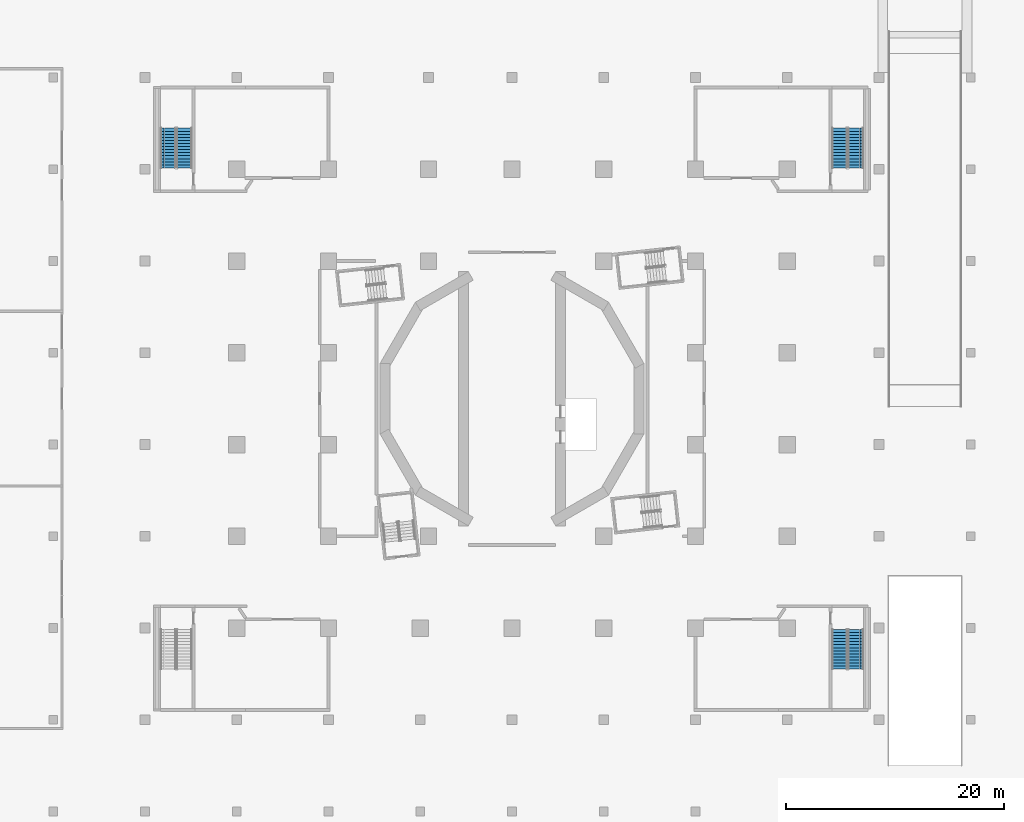
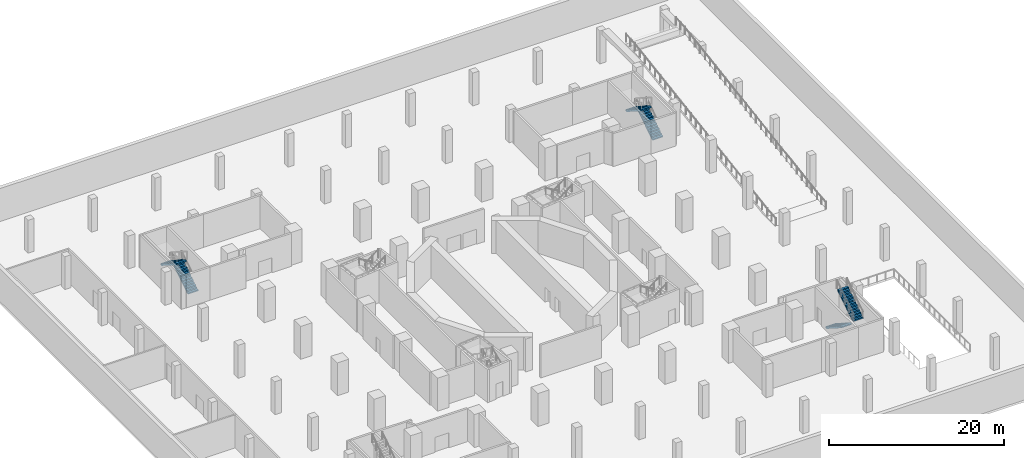
# One storey, part 12 of 20: 6 stair flights, 3 elements without a shape of their own.
"""IFC4 building model written with IfcOpenShell, lengths in metres."""

from ifc_helpers import new_model, si_unit, direction, frame, origin, place, context, subcontext, project, spatial, polyline, outline, extrude, material, type_object, element, aggregate, save


model = new_model("IFC4")

# Units and contexts
model_context = context("Model", 3, precision=1e-05, world=origin(), true_north=direction((0.0, 1.0)))
body_context = subcontext(model_context, "Body", "Model", "MODEL_VIEW")
ifc_project = project(units=[si_unit("LENGTHUNIT", "METRE"), si_unit("AREAUNIT", "SQUARE_METRE"), si_unit("VOLUMEUNIT", "CUBIC_METRE"), si_unit("PLANEANGLEUNIT", "RADIAN"), si_unit("MASSUNIT", "GRAM", prefix="KILO")], contexts=[model_context])

# Site, building, storey
site_placement = place(None, origin())
site = spatial("IfcSite", under=ifc_project, at=site_placement, CompositionType="ELEMENT")
building_placement = place(site_placement, origin())
building = spatial("IfcBuilding", under=site, at=building_placement, Name="Cantera Rosa Tower", CompositionType="ELEMENT")
storey_placement = place(building_placement, frame((0.0, 0.0, -5.0)))
storey = spatial("IfcBuildingStorey", under=building, at=storey_placement, Name="B1", CompositionType="ELEMENT", Elevation=-5.0)

# Stair, stair flights
ifc_material_1 = material(Name="Concrete C35/45", Category="concrete")
stair_type = type_object("IfcStairType", Name="Stair half-turn 1350", PredefinedType="HALF_TURN_STAIR", material=ifc_material_1)
stair_1_placement = place(storey_placement, origin())
stair_1 = element("IfcStair", 1, at=stair_1_placement, inside=storey, type_object=stair_type, Name="B1 ST-NE", PredefinedType="HALF_TURN_STAIR")
ifc_material_2 = material(Name="Concrete C35/45", Category="concrete")
stair_flight_type = type_object("IfcStairFlightType", Name="Stair flight 1350", PredefinedType="STRAIGHT", material=ifc_material_2)
stair_flight_1_placement = place(storey_placement, frame((31.5, 21.125, 0.0), z_axis=(0.0, 0.0, 1.0), x_axis=(0.0, 1.0, 0.0)))
stair_flight_1 = element("IfcStairFlight", 2, at=stair_flight_1_placement, type_object=stair_flight_type, Name="ST-NE flight 1", NumberOfRisers=14, NumberOfTreads=13, PredefinedType="STRAIGHT", RiserHeight=0.178571429, TreadLength=0.28, context=body_context, shape_type="SweptSolid", body=[
    extrude(outline(polyline([(0.0, 0.0), (0.0, 0.178466796875), (0.280029296875, 0.178466796875), (0.280029296875, 0.357177734375), (0.56005859375, 0.357177734375), (0.56005859375, 0.53564453125), (0.840087890625, 0.53564453125), (0.840087890625, 0.71435546875), (1.1201171875, 0.71435546875), (1.1201171875, 0.892822265625), (1.39990234375, 0.892822265625), (1.39990234375, 1.071533203125), (1.679931640625, 1.071533203125), (1.679931640625, 1.25), (1.9599609375, 1.25), (1.9599609375, 1.428466796875), (2.239990234375, 1.428466796875), (2.239990234375, 1.607177734375), (2.52001953125, 1.607177734375), (2.52001953125, 1.78564453125), (2.800048828125, 1.78564453125), (2.800048828125, 1.96435546875), (3.080078125, 1.96435546875), (3.080078125, 2.142822265625), (3.360107421875, 2.142822265625), (3.360107421875, 2.321533203125), (3.639892578125, 2.321533203125), (3.639892578125, 2.5), (3.639892578125, 2.1435546875), (0.27880859375, 0.0), (0.0, 0.0)])), frame((0.0, 0.675048828125, 0.0), z_axis=(0.0, -1.0, 0.0), x_axis=(1.0, 0.0, 0.0)), (0.0, 0.0, 1.0), 0.3359375),
    extrude(outline(polyline([(0.0, 0.0), (0.0, 0.178466796875), (0.280029296875, 0.178466796875), (0.280029296875, 0.357177734375), (0.56005859375, 0.357177734375), (0.56005859375, 0.53564453125), (0.840087890625, 0.53564453125), (0.840087890625, 0.71435546875), (1.1201171875, 0.71435546875), (1.1201171875, 0.892822265625), (1.39990234375, 0.892822265625), (1.39990234375, 1.071533203125), (1.679931640625, 1.071533203125), (1.679931640625, 1.25), (1.9599609375, 1.25), (1.9599609375, 1.428466796875), (2.239990234375, 1.428466796875), (2.239990234375, 1.607177734375), (2.52001953125, 1.607177734375), (2.52001953125, 1.78564453125), (2.800048828125, 1.78564453125), (2.800048828125, 1.96435546875), (3.080078125, 1.96435546875), (3.080078125, 2.142822265625), (3.360107421875, 2.142822265625), (3.360107421875, 2.321533203125), (3.639892578125, 2.321533203125), (3.639892578125, 2.5), (3.639892578125, 2.1435546875), (0.27880859375, 0.0), (0.0, 0.0)])), frame((0.0, 0.337158203125, 0.0), z_axis=(0.0, -1.0, 0.0), x_axis=(1.0, 0.0, 0.0)), (0.0, 0.0, 1.0), 0.3359375),
    extrude(outline(polyline([(0.0, 0.0), (0.0, 0.178466796875), (0.280029296875, 0.178466796875), (0.280029296875, 0.357177734375), (0.56005859375, 0.357177734375), (0.56005859375, 0.53564453125), (0.840087890625, 0.53564453125), (0.840087890625, 0.71435546875), (1.1201171875, 0.71435546875), (1.1201171875, 0.892822265625), (1.39990234375, 0.892822265625), (1.39990234375, 1.071533203125), (1.679931640625, 1.071533203125), (1.679931640625, 1.25), (1.9599609375, 1.25), (1.9599609375, 1.428466796875), (2.239990234375, 1.428466796875), (2.239990234375, 1.607177734375), (2.52001953125, 1.607177734375), (2.52001953125, 1.78564453125), (2.800048828125, 1.78564453125), (2.800048828125, 1.96435546875), (3.080078125, 1.96435546875), (3.080078125, 2.142822265625), (3.360107421875, 2.142822265625), (3.360107421875, 2.321533203125), (3.639892578125, 2.321533203125), (3.639892578125, 2.5), (3.639892578125, 2.1435546875), (0.27880859375, 0.0), (0.0, 0.0)])), frame((0.0, -0.000732421875, 0.0), z_axis=(0.0, -1.0, 0.0), x_axis=(1.0, 0.0, 0.0)), (0.0, 0.0, 1.0), 0.3359375),
    extrude(outline(polyline([(0.0, 0.0), (0.0, 0.178466796875), (0.280029296875, 0.178466796875), (0.280029296875, 0.357177734375), (0.56005859375, 0.357177734375), (0.56005859375, 0.53564453125), (0.840087890625, 0.53564453125), (0.840087890625, 0.71435546875), (1.1201171875, 0.71435546875), (1.1201171875, 0.892822265625), (1.39990234375, 0.892822265625), (1.39990234375, 1.071533203125), (1.679931640625, 1.071533203125), (1.679931640625, 1.25), (1.9599609375, 1.25), (1.9599609375, 1.428466796875), (2.239990234375, 1.428466796875), (2.239990234375, 1.607177734375), (2.52001953125, 1.607177734375), (2.52001953125, 1.78564453125), (2.800048828125, 1.78564453125), (2.800048828125, 1.96435546875), (3.080078125, 1.96435546875), (3.080078125, 2.142822265625), (3.360107421875, 2.142822265625), (3.360107421875, 2.321533203125), (3.639892578125, 2.321533203125), (3.639892578125, 2.5), (3.639892578125, 2.1435546875), (0.27880859375, 0.0), (0.0, 0.0)])), frame((0.0, -0.338623046875, 0.0), z_axis=(0.0, -1.0, 0.0), x_axis=(1.0, 0.0, 0.0)), (0.0, 0.0, 1.0), 0.3359375),
])
stair_flight_2_placement = place(storey_placement, frame((29.949951171875, 24.764892578125, 2.5), z_axis=(0.0, 0.0, 1.0), x_axis=(0.0, -1.0, 0.0)))
stair_flight_2 = element("IfcStairFlight", 3, at=stair_flight_2_placement, type_object=stair_flight_type, Name="ST-NE flight 2", NumberOfRisers=14, NumberOfTreads=13, PredefinedType="STRAIGHT", RiserHeight=0.178571429, TreadLength=0.28, context=body_context, shape_type="SweptSolid", body=[
    extrude(outline(polyline([(0.0, 0.0), (0.0, 0.178466796875), (0.280029296875, 0.178466796875), (0.280029296875, 0.357177734375), (0.56005859375, 0.357177734375), (0.56005859375, 0.53564453125), (0.840087890625, 0.53564453125), (0.840087890625, 0.71435546875), (1.1201171875, 0.71435546875), (1.1201171875, 0.892822265625), (1.39990234375, 0.892822265625), (1.39990234375, 1.071533203125), (1.679931640625, 1.071533203125), (1.679931640625, 1.25), (1.9599609375, 1.25), (1.9599609375, 1.428466796875), (2.239990234375, 1.428466796875), (2.239990234375, 1.607177734375), (2.52001953125, 1.607177734375), (2.52001953125, 1.78564453125), (2.800048828125, 1.78564453125), (2.800048828125, 1.96435546875), (3.080078125, 1.96435546875), (3.080078125, 2.142822265625), (3.360107421875, 2.142822265625), (3.360107421875, 2.321533203125), (3.639892578125, 2.321533203125), (3.639892578125, 2.5), (3.639892578125, 2.1435546875), (0.27880859375, 0.0), (0.0, 0.0)])), frame((0.0, 0.675048828125, 0.0), z_axis=(0.0, -1.0, 0.0), x_axis=(1.0, 0.0, 0.0)), (0.0, 0.0, 1.0), 0.3359375),
    extrude(outline(polyline([(0.0, 0.0), (0.0, 0.178466796875), (0.280029296875, 0.178466796875), (0.280029296875, 0.357177734375), (0.56005859375, 0.357177734375), (0.56005859375, 0.53564453125), (0.840087890625, 0.53564453125), (0.840087890625, 0.71435546875), (1.1201171875, 0.71435546875), (1.1201171875, 0.892822265625), (1.39990234375, 0.892822265625), (1.39990234375, 1.071533203125), (1.679931640625, 1.071533203125), (1.679931640625, 1.25), (1.9599609375, 1.25), (1.9599609375, 1.428466796875), (2.239990234375, 1.428466796875), (2.239990234375, 1.607177734375), (2.52001953125, 1.607177734375), (2.52001953125, 1.78564453125), (2.800048828125, 1.78564453125), (2.800048828125, 1.96435546875), (3.080078125, 1.96435546875), (3.080078125, 2.142822265625), (3.360107421875, 2.142822265625), (3.360107421875, 2.321533203125), (3.639892578125, 2.321533203125), (3.639892578125, 2.5), (3.639892578125, 2.1435546875), (0.27880859375, 0.0), (0.0, 0.0)])), frame((0.0, 0.337158203125, 0.0), z_axis=(0.0, -1.0, 0.0), x_axis=(1.0, 0.0, 0.0)), (0.0, 0.0, 1.0), 0.3359375),
    extrude(outline(polyline([(0.0, 0.0), (0.0, 0.178466796875), (0.280029296875, 0.178466796875), (0.280029296875, 0.357177734375), (0.56005859375, 0.357177734375), (0.56005859375, 0.53564453125), (0.840087890625, 0.53564453125), (0.840087890625, 0.71435546875), (1.1201171875, 0.71435546875), (1.1201171875, 0.892822265625), (1.39990234375, 0.892822265625), (1.39990234375, 1.071533203125), (1.679931640625, 1.071533203125), (1.679931640625, 1.25), (1.9599609375, 1.25), (1.9599609375, 1.428466796875), (2.239990234375, 1.428466796875), (2.239990234375, 1.607177734375), (2.52001953125, 1.607177734375), (2.52001953125, 1.78564453125), (2.800048828125, 1.78564453125), (2.800048828125, 1.96435546875), (3.080078125, 1.96435546875), (3.080078125, 2.142822265625), (3.360107421875, 2.142822265625), (3.360107421875, 2.321533203125), (3.639892578125, 2.321533203125), (3.639892578125, 2.5), (3.639892578125, 2.1435546875), (0.27880859375, 0.0), (0.0, 0.0)])), frame((0.0, -0.000732421875, 0.0), z_axis=(0.0, -1.0, 0.0), x_axis=(1.0, 0.0, 0.0)), (0.0, 0.0, 1.0), 0.3359375),
    extrude(outline(polyline([(0.0, 0.0), (0.0, 0.178466796875), (0.280029296875, 0.178466796875), (0.280029296875, 0.357177734375), (0.56005859375, 0.357177734375), (0.56005859375, 0.53564453125), (0.840087890625, 0.53564453125), (0.840087890625, 0.71435546875), (1.1201171875, 0.71435546875), (1.1201171875, 0.892822265625), (1.39990234375, 0.892822265625), (1.39990234375, 1.071533203125), (1.679931640625, 1.071533203125), (1.679931640625, 1.25), (1.9599609375, 1.25), (1.9599609375, 1.428466796875), (2.239990234375, 1.428466796875), (2.239990234375, 1.607177734375), (2.52001953125, 1.607177734375), (2.52001953125, 1.78564453125), (2.800048828125, 1.78564453125), (2.800048828125, 1.96435546875), (3.080078125, 1.96435546875), (3.080078125, 2.142822265625), (3.360107421875, 2.142822265625), (3.360107421875, 2.321533203125), (3.639892578125, 2.321533203125), (3.639892578125, 2.5), (3.639892578125, 2.1435546875), (0.27880859375, 0.0), (0.0, 0.0)])), frame((0.0, -0.338623046875, 0.0), z_axis=(0.0, -1.0, 0.0), x_axis=(1.0, 0.0, 0.0)), (0.0, 0.0, 1.0), 0.3359375),
])
aggregate(stair_1, [stair_flight_1, stair_flight_2])

stair_2_placement = place(storey_placement, origin())
stair_2 = element("IfcStair", 4, at=stair_2_placement, inside=storey, type_object=stair_type, Name="B1 ST-NW", PredefinedType="HALF_TURN_STAIR")
stair_flight_3_placement = place(storey_placement, frame((-29.949951171875, 21.125, 0.0), z_axis=(0.0, 0.0, 1.0), x_axis=(0.0, 1.0, 0.0)))
stair_flight_3 = element("IfcStairFlight", 5, at=stair_flight_3_placement, type_object=stair_flight_type, Name="ST-NW flight 1", NumberOfRisers=14, NumberOfTreads=13, PredefinedType="STRAIGHT", RiserHeight=0.178571429, TreadLength=0.28, context=body_context, shape_type="SweptSolid", body=[
    extrude(outline(polyline([(0.0, 0.0), (0.0, 0.178466796875), (0.280029296875, 0.178466796875), (0.280029296875, 0.357177734375), (0.56005859375, 0.357177734375), (0.56005859375, 0.53564453125), (0.840087890625, 0.53564453125), (0.840087890625, 0.71435546875), (1.1201171875, 0.71435546875), (1.1201171875, 0.892822265625), (1.39990234375, 0.892822265625), (1.39990234375, 1.071533203125), (1.679931640625, 1.071533203125), (1.679931640625, 1.25), (1.9599609375, 1.25), (1.9599609375, 1.428466796875), (2.239990234375, 1.428466796875), (2.239990234375, 1.607177734375), (2.52001953125, 1.607177734375), (2.52001953125, 1.78564453125), (2.800048828125, 1.78564453125), (2.800048828125, 1.96435546875), (3.080078125, 1.96435546875), (3.080078125, 2.142822265625), (3.360107421875, 2.142822265625), (3.360107421875, 2.321533203125), (3.639892578125, 2.321533203125), (3.639892578125, 2.5), (3.639892578125, 2.1435546875), (0.27880859375, 0.0), (0.0, 0.0)])), frame((0.0, 0.675048828125, 0.0), z_axis=(0.0, -1.0, 0.0), x_axis=(1.0, 0.0, 0.0)), (0.0, 0.0, 1.0), 0.3359375),
    extrude(outline(polyline([(0.0, 0.0), (0.0, 0.178466796875), (0.280029296875, 0.178466796875), (0.280029296875, 0.357177734375), (0.56005859375, 0.357177734375), (0.56005859375, 0.53564453125), (0.840087890625, 0.53564453125), (0.840087890625, 0.71435546875), (1.1201171875, 0.71435546875), (1.1201171875, 0.892822265625), (1.39990234375, 0.892822265625), (1.39990234375, 1.071533203125), (1.679931640625, 1.071533203125), (1.679931640625, 1.25), (1.9599609375, 1.25), (1.9599609375, 1.428466796875), (2.239990234375, 1.428466796875), (2.239990234375, 1.607177734375), (2.52001953125, 1.607177734375), (2.52001953125, 1.78564453125), (2.800048828125, 1.78564453125), (2.800048828125, 1.96435546875), (3.080078125, 1.96435546875), (3.080078125, 2.142822265625), (3.360107421875, 2.142822265625), (3.360107421875, 2.321533203125), (3.639892578125, 2.321533203125), (3.639892578125, 2.5), (3.639892578125, 2.1435546875), (0.27880859375, 0.0), (0.0, 0.0)])), frame((0.0, 0.337158203125, 0.0), z_axis=(0.0, -1.0, 0.0), x_axis=(1.0, 0.0, 0.0)), (0.0, 0.0, 1.0), 0.3359375),
    extrude(outline(polyline([(0.0, 0.0), (0.0, 0.178466796875), (0.280029296875, 0.178466796875), (0.280029296875, 0.357177734375), (0.56005859375, 0.357177734375), (0.56005859375, 0.53564453125), (0.840087890625, 0.53564453125), (0.840087890625, 0.71435546875), (1.1201171875, 0.71435546875), (1.1201171875, 0.892822265625), (1.39990234375, 0.892822265625), (1.39990234375, 1.071533203125), (1.679931640625, 1.071533203125), (1.679931640625, 1.25), (1.9599609375, 1.25), (1.9599609375, 1.428466796875), (2.239990234375, 1.428466796875), (2.239990234375, 1.607177734375), (2.52001953125, 1.607177734375), (2.52001953125, 1.78564453125), (2.800048828125, 1.78564453125), (2.800048828125, 1.96435546875), (3.080078125, 1.96435546875), (3.080078125, 2.142822265625), (3.360107421875, 2.142822265625), (3.360107421875, 2.321533203125), (3.639892578125, 2.321533203125), (3.639892578125, 2.5), (3.639892578125, 2.1435546875), (0.27880859375, 0.0), (0.0, 0.0)])), frame((0.0, -0.000732421875, 0.0), z_axis=(0.0, -1.0, 0.0), x_axis=(1.0, 0.0, 0.0)), (0.0, 0.0, 1.0), 0.3359375),
    extrude(outline(polyline([(0.0, 0.0), (0.0, 0.178466796875), (0.280029296875, 0.178466796875), (0.280029296875, 0.357177734375), (0.56005859375, 0.357177734375), (0.56005859375, 0.53564453125), (0.840087890625, 0.53564453125), (0.840087890625, 0.71435546875), (1.1201171875, 0.71435546875), (1.1201171875, 0.892822265625), (1.39990234375, 0.892822265625), (1.39990234375, 1.071533203125), (1.679931640625, 1.071533203125), (1.679931640625, 1.25), (1.9599609375, 1.25), (1.9599609375, 1.428466796875), (2.239990234375, 1.428466796875), (2.239990234375, 1.607177734375), (2.52001953125, 1.607177734375), (2.52001953125, 1.78564453125), (2.800048828125, 1.78564453125), (2.800048828125, 1.96435546875), (3.080078125, 1.96435546875), (3.080078125, 2.142822265625), (3.360107421875, 2.142822265625), (3.360107421875, 2.321533203125), (3.639892578125, 2.321533203125), (3.639892578125, 2.5), (3.639892578125, 2.1435546875), (0.27880859375, 0.0), (0.0, 0.0)])), frame((0.0, -0.338623046875, 0.0), z_axis=(0.0, -1.0, 0.0), x_axis=(1.0, 0.0, 0.0)), (0.0, 0.0, 1.0), 0.3359375),
])
stair_flight_4_placement = place(storey_placement, frame((-31.5, 24.764892578125, 2.5), z_axis=(0.0, 0.0, 1.0), x_axis=(0.0, -1.0, 0.0)))
stair_flight_4 = element("IfcStairFlight", 6, at=stair_flight_4_placement, type_object=stair_flight_type, Name="ST-NW flight 2", NumberOfRisers=14, NumberOfTreads=13, PredefinedType="STRAIGHT", RiserHeight=0.178571429, TreadLength=0.28, context=body_context, shape_type="SweptSolid", body=[
    extrude(outline(polyline([(0.0, 0.0), (0.0, 0.178466796875), (0.280029296875, 0.178466796875), (0.280029296875, 0.357177734375), (0.56005859375, 0.357177734375), (0.56005859375, 0.53564453125), (0.840087890625, 0.53564453125), (0.840087890625, 0.71435546875), (1.1201171875, 0.71435546875), (1.1201171875, 0.892822265625), (1.39990234375, 0.892822265625), (1.39990234375, 1.071533203125), (1.679931640625, 1.071533203125), (1.679931640625, 1.25), (1.9599609375, 1.25), (1.9599609375, 1.428466796875), (2.239990234375, 1.428466796875), (2.239990234375, 1.607177734375), (2.52001953125, 1.607177734375), (2.52001953125, 1.78564453125), (2.800048828125, 1.78564453125), (2.800048828125, 1.96435546875), (3.080078125, 1.96435546875), (3.080078125, 2.142822265625), (3.360107421875, 2.142822265625), (3.360107421875, 2.321533203125), (3.639892578125, 2.321533203125), (3.639892578125, 2.5), (3.639892578125, 2.1435546875), (0.27880859375, 0.0), (0.0, 0.0)])), frame((0.0, 0.675048828125, 0.0), z_axis=(0.0, -1.0, 0.0), x_axis=(1.0, 0.0, 0.0)), (0.0, 0.0, 1.0), 0.3359375),
    extrude(outline(polyline([(0.0, 0.0), (0.0, 0.178466796875), (0.280029296875, 0.178466796875), (0.280029296875, 0.357177734375), (0.56005859375, 0.357177734375), (0.56005859375, 0.53564453125), (0.840087890625, 0.53564453125), (0.840087890625, 0.71435546875), (1.1201171875, 0.71435546875), (1.1201171875, 0.892822265625), (1.39990234375, 0.892822265625), (1.39990234375, 1.071533203125), (1.679931640625, 1.071533203125), (1.679931640625, 1.25), (1.9599609375, 1.25), (1.9599609375, 1.428466796875), (2.239990234375, 1.428466796875), (2.239990234375, 1.607177734375), (2.52001953125, 1.607177734375), (2.52001953125, 1.78564453125), (2.800048828125, 1.78564453125), (2.800048828125, 1.96435546875), (3.080078125, 1.96435546875), (3.080078125, 2.142822265625), (3.360107421875, 2.142822265625), (3.360107421875, 2.321533203125), (3.639892578125, 2.321533203125), (3.639892578125, 2.5), (3.639892578125, 2.1435546875), (0.27880859375, 0.0), (0.0, 0.0)])), frame((0.0, 0.337158203125, 0.0), z_axis=(0.0, -1.0, 0.0), x_axis=(1.0, 0.0, 0.0)), (0.0, 0.0, 1.0), 0.3359375),
    extrude(outline(polyline([(0.0, 0.0), (0.0, 0.178466796875), (0.280029296875, 0.178466796875), (0.280029296875, 0.357177734375), (0.56005859375, 0.357177734375), (0.56005859375, 0.53564453125), (0.840087890625, 0.53564453125), (0.840087890625, 0.71435546875), (1.1201171875, 0.71435546875), (1.1201171875, 0.892822265625), (1.39990234375, 0.892822265625), (1.39990234375, 1.071533203125), (1.679931640625, 1.071533203125), (1.679931640625, 1.25), (1.9599609375, 1.25), (1.9599609375, 1.428466796875), (2.239990234375, 1.428466796875), (2.239990234375, 1.607177734375), (2.52001953125, 1.607177734375), (2.52001953125, 1.78564453125), (2.800048828125, 1.78564453125), (2.800048828125, 1.96435546875), (3.080078125, 1.96435546875), (3.080078125, 2.142822265625), (3.360107421875, 2.142822265625), (3.360107421875, 2.321533203125), (3.639892578125, 2.321533203125), (3.639892578125, 2.5), (3.639892578125, 2.1435546875), (0.27880859375, 0.0), (0.0, 0.0)])), frame((0.0, -0.000732421875, 0.0), z_axis=(0.0, -1.0, 0.0), x_axis=(1.0, 0.0, 0.0)), (0.0, 0.0, 1.0), 0.3359375),
    extrude(outline(polyline([(0.0, 0.0), (0.0, 0.178466796875), (0.280029296875, 0.178466796875), (0.280029296875, 0.357177734375), (0.56005859375, 0.357177734375), (0.56005859375, 0.53564453125), (0.840087890625, 0.53564453125), (0.840087890625, 0.71435546875), (1.1201171875, 0.71435546875), (1.1201171875, 0.892822265625), (1.39990234375, 0.892822265625), (1.39990234375, 1.071533203125), (1.679931640625, 1.071533203125), (1.679931640625, 1.25), (1.9599609375, 1.25), (1.9599609375, 1.428466796875), (2.239990234375, 1.428466796875), (2.239990234375, 1.607177734375), (2.52001953125, 1.607177734375), (2.52001953125, 1.78564453125), (2.800048828125, 1.78564453125), (2.800048828125, 1.96435546875), (3.080078125, 1.96435546875), (3.080078125, 2.142822265625), (3.360107421875, 2.142822265625), (3.360107421875, 2.321533203125), (3.639892578125, 2.321533203125), (3.639892578125, 2.5), (3.639892578125, 2.1435546875), (0.27880859375, 0.0), (0.0, 0.0)])), frame((0.0, -0.338623046875, 0.0), z_axis=(0.0, -1.0, 0.0), x_axis=(1.0, 0.0, 0.0)), (0.0, 0.0, 1.0), 0.3359375),
])
aggregate(stair_2, [stair_flight_3, stair_flight_4])

stair_3_placement = place(storey_placement, origin())
stair_3 = element("IfcStair", 7, at=stair_3_placement, inside=storey, type_object=stair_type, Name="B1 ST-SE", PredefinedType="HALF_TURN_STAIR")
stair_flight_5_placement = place(storey_placement, frame((29.949951171875, -21.125, 0.0), z_axis=(0.0, 0.0, 1.0), x_axis=(0.0, -1.0, 0.0)))
stair_flight_5 = element("IfcStairFlight", 8, at=stair_flight_5_placement, type_object=stair_flight_type, Name="ST-SE flight 1", NumberOfRisers=14, NumberOfTreads=13, PredefinedType="STRAIGHT", RiserHeight=0.178571429, TreadLength=0.28, context=body_context, shape_type="SweptSolid", body=[
    extrude(outline(polyline([(0.0, 0.0), (0.0, 0.178466796875), (0.280029296875, 0.178466796875), (0.280029296875, 0.357177734375), (0.56005859375, 0.357177734375), (0.56005859375, 0.53564453125), (0.840087890625, 0.53564453125), (0.840087890625, 0.71435546875), (1.1201171875, 0.71435546875), (1.1201171875, 0.892822265625), (1.39990234375, 0.892822265625), (1.39990234375, 1.071533203125), (1.679931640625, 1.071533203125), (1.679931640625, 1.25), (1.9599609375, 1.25), (1.9599609375, 1.428466796875), (2.239990234375, 1.428466796875), (2.239990234375, 1.607177734375), (2.52001953125, 1.607177734375), (2.52001953125, 1.78564453125), (2.800048828125, 1.78564453125), (2.800048828125, 1.96435546875), (3.080078125, 1.96435546875), (3.080078125, 2.142822265625), (3.360107421875, 2.142822265625), (3.360107421875, 2.321533203125), (3.639892578125, 2.321533203125), (3.639892578125, 2.5), (3.639892578125, 2.1435546875), (0.27880859375, 0.0), (0.0, 0.0)])), frame((0.0, 0.675048828125, 0.0), z_axis=(0.0, -1.0, 0.0), x_axis=(1.0, 0.0, 0.0)), (0.0, 0.0, 1.0), 0.3359375),
    extrude(outline(polyline([(0.0, 0.0), (0.0, 0.178466796875), (0.280029296875, 0.178466796875), (0.280029296875, 0.357177734375), (0.56005859375, 0.357177734375), (0.56005859375, 0.53564453125), (0.840087890625, 0.53564453125), (0.840087890625, 0.71435546875), (1.1201171875, 0.71435546875), (1.1201171875, 0.892822265625), (1.39990234375, 0.892822265625), (1.39990234375, 1.071533203125), (1.679931640625, 1.071533203125), (1.679931640625, 1.25), (1.9599609375, 1.25), (1.9599609375, 1.428466796875), (2.239990234375, 1.428466796875), (2.239990234375, 1.607177734375), (2.52001953125, 1.607177734375), (2.52001953125, 1.78564453125), (2.800048828125, 1.78564453125), (2.800048828125, 1.96435546875), (3.080078125, 1.96435546875), (3.080078125, 2.142822265625), (3.360107421875, 2.142822265625), (3.360107421875, 2.321533203125), (3.639892578125, 2.321533203125), (3.639892578125, 2.5), (3.639892578125, 2.1435546875), (0.27880859375, 0.0), (0.0, 0.0)])), frame((0.0, 0.337158203125, 0.0), z_axis=(0.0, -1.0, 0.0), x_axis=(1.0, 0.0, 0.0)), (0.0, 0.0, 1.0), 0.3359375),
    extrude(outline(polyline([(0.0, 0.0), (0.0, 0.178466796875), (0.280029296875, 0.178466796875), (0.280029296875, 0.357177734375), (0.56005859375, 0.357177734375), (0.56005859375, 0.53564453125), (0.840087890625, 0.53564453125), (0.840087890625, 0.71435546875), (1.1201171875, 0.71435546875), (1.1201171875, 0.892822265625), (1.39990234375, 0.892822265625), (1.39990234375, 1.071533203125), (1.679931640625, 1.071533203125), (1.679931640625, 1.25), (1.9599609375, 1.25), (1.9599609375, 1.428466796875), (2.239990234375, 1.428466796875), (2.239990234375, 1.607177734375), (2.52001953125, 1.607177734375), (2.52001953125, 1.78564453125), (2.800048828125, 1.78564453125), (2.800048828125, 1.96435546875), (3.080078125, 1.96435546875), (3.080078125, 2.142822265625), (3.360107421875, 2.142822265625), (3.360107421875, 2.321533203125), (3.639892578125, 2.321533203125), (3.639892578125, 2.5), (3.639892578125, 2.1435546875), (0.27880859375, 0.0), (0.0, 0.0)])), frame((0.0, -0.000732421875, 0.0), z_axis=(0.0, -1.0, 0.0), x_axis=(1.0, 0.0, 0.0)), (0.0, 0.0, 1.0), 0.3359375),
    extrude(outline(polyline([(0.0, 0.0), (0.0, 0.178466796875), (0.280029296875, 0.178466796875), (0.280029296875, 0.357177734375), (0.56005859375, 0.357177734375), (0.56005859375, 0.53564453125), (0.840087890625, 0.53564453125), (0.840087890625, 0.71435546875), (1.1201171875, 0.71435546875), (1.1201171875, 0.892822265625), (1.39990234375, 0.892822265625), (1.39990234375, 1.071533203125), (1.679931640625, 1.071533203125), (1.679931640625, 1.25), (1.9599609375, 1.25), (1.9599609375, 1.428466796875), (2.239990234375, 1.428466796875), (2.239990234375, 1.607177734375), (2.52001953125, 1.607177734375), (2.52001953125, 1.78564453125), (2.800048828125, 1.78564453125), (2.800048828125, 1.96435546875), (3.080078125, 1.96435546875), (3.080078125, 2.142822265625), (3.360107421875, 2.142822265625), (3.360107421875, 2.321533203125), (3.639892578125, 2.321533203125), (3.639892578125, 2.5), (3.639892578125, 2.1435546875), (0.27880859375, 0.0), (0.0, 0.0)])), frame((0.0, -0.338623046875, 0.0), z_axis=(0.0, -1.0, 0.0), x_axis=(1.0, 0.0, 0.0)), (0.0, 0.0, 1.0), 0.3359375),
])
stair_flight_6_placement = place(storey_placement, frame((31.5, -24.764892578125, 2.5), z_axis=(0.0, 0.0, 1.0), x_axis=(0.0, 1.0, 0.0)))
stair_flight_6 = element("IfcStairFlight", 9, at=stair_flight_6_placement, type_object=stair_flight_type, Name="ST-SE flight 2", NumberOfRisers=14, NumberOfTreads=13, PredefinedType="STRAIGHT", RiserHeight=0.178571429, TreadLength=0.28, context=body_context, shape_type="SweptSolid", body=[
    extrude(outline(polyline([(0.0, 0.0), (0.0, 0.178466796875), (0.280029296875, 0.178466796875), (0.280029296875, 0.357177734375), (0.56005859375, 0.357177734375), (0.56005859375, 0.53564453125), (0.840087890625, 0.53564453125), (0.840087890625, 0.71435546875), (1.1201171875, 0.71435546875), (1.1201171875, 0.892822265625), (1.39990234375, 0.892822265625), (1.39990234375, 1.071533203125), (1.679931640625, 1.071533203125), (1.679931640625, 1.25), (1.9599609375, 1.25), (1.9599609375, 1.428466796875), (2.239990234375, 1.428466796875), (2.239990234375, 1.607177734375), (2.52001953125, 1.607177734375), (2.52001953125, 1.78564453125), (2.800048828125, 1.78564453125), (2.800048828125, 1.96435546875), (3.080078125, 1.96435546875), (3.080078125, 2.142822265625), (3.360107421875, 2.142822265625), (3.360107421875, 2.321533203125), (3.639892578125, 2.321533203125), (3.639892578125, 2.5), (3.639892578125, 2.1435546875), (0.27880859375, 0.0), (0.0, 0.0)])), frame((0.0, 0.675048828125, 0.0), z_axis=(0.0, -1.0, 0.0), x_axis=(1.0, 0.0, 0.0)), (0.0, 0.0, 1.0), 0.3359375),
    extrude(outline(polyline([(0.0, 0.0), (0.0, 0.178466796875), (0.280029296875, 0.178466796875), (0.280029296875, 0.357177734375), (0.56005859375, 0.357177734375), (0.56005859375, 0.53564453125), (0.840087890625, 0.53564453125), (0.840087890625, 0.71435546875), (1.1201171875, 0.71435546875), (1.1201171875, 0.892822265625), (1.39990234375, 0.892822265625), (1.39990234375, 1.071533203125), (1.679931640625, 1.071533203125), (1.679931640625, 1.25), (1.9599609375, 1.25), (1.9599609375, 1.428466796875), (2.239990234375, 1.428466796875), (2.239990234375, 1.607177734375), (2.52001953125, 1.607177734375), (2.52001953125, 1.78564453125), (2.800048828125, 1.78564453125), (2.800048828125, 1.96435546875), (3.080078125, 1.96435546875), (3.080078125, 2.142822265625), (3.360107421875, 2.142822265625), (3.360107421875, 2.321533203125), (3.639892578125, 2.321533203125), (3.639892578125, 2.5), (3.639892578125, 2.1435546875), (0.27880859375, 0.0), (0.0, 0.0)])), frame((0.0, 0.337158203125, 0.0), z_axis=(0.0, -1.0, 0.0), x_axis=(1.0, 0.0, 0.0)), (0.0, 0.0, 1.0), 0.3359375),
    extrude(outline(polyline([(0.0, 0.0), (0.0, 0.178466796875), (0.280029296875, 0.178466796875), (0.280029296875, 0.357177734375), (0.56005859375, 0.357177734375), (0.56005859375, 0.53564453125), (0.840087890625, 0.53564453125), (0.840087890625, 0.71435546875), (1.1201171875, 0.71435546875), (1.1201171875, 0.892822265625), (1.39990234375, 0.892822265625), (1.39990234375, 1.071533203125), (1.679931640625, 1.071533203125), (1.679931640625, 1.25), (1.9599609375, 1.25), (1.9599609375, 1.428466796875), (2.239990234375, 1.428466796875), (2.239990234375, 1.607177734375), (2.52001953125, 1.607177734375), (2.52001953125, 1.78564453125), (2.800048828125, 1.78564453125), (2.800048828125, 1.96435546875), (3.080078125, 1.96435546875), (3.080078125, 2.142822265625), (3.360107421875, 2.142822265625), (3.360107421875, 2.321533203125), (3.639892578125, 2.321533203125), (3.639892578125, 2.5), (3.639892578125, 2.1435546875), (0.27880859375, 0.0), (0.0, 0.0)])), frame((0.0, -0.000732421875, 0.0), z_axis=(0.0, -1.0, 0.0), x_axis=(1.0, 0.0, 0.0)), (0.0, 0.0, 1.0), 0.3359375),
    extrude(outline(polyline([(0.0, 0.0), (0.0, 0.178466796875), (0.280029296875, 0.178466796875), (0.280029296875, 0.357177734375), (0.56005859375, 0.357177734375), (0.56005859375, 0.53564453125), (0.840087890625, 0.53564453125), (0.840087890625, 0.71435546875), (1.1201171875, 0.71435546875), (1.1201171875, 0.892822265625), (1.39990234375, 0.892822265625), (1.39990234375, 1.071533203125), (1.679931640625, 1.071533203125), (1.679931640625, 1.25), (1.9599609375, 1.25), (1.9599609375, 1.428466796875), (2.239990234375, 1.428466796875), (2.239990234375, 1.607177734375), (2.52001953125, 1.607177734375), (2.52001953125, 1.78564453125), (2.800048828125, 1.78564453125), (2.800048828125, 1.96435546875), (3.080078125, 1.96435546875), (3.080078125, 2.142822265625), (3.360107421875, 2.142822265625), (3.360107421875, 2.321533203125), (3.639892578125, 2.321533203125), (3.639892578125, 2.5), (3.639892578125, 2.1435546875), (0.27880859375, 0.0), (0.0, 0.0)])), frame((0.0, -0.338623046875, 0.0), z_axis=(0.0, -1.0, 0.0), x_axis=(1.0, 0.0, 0.0)), (0.0, 0.0, 1.0), 0.3359375),
])
aggregate(stair_3, [stair_flight_5, stair_flight_6])

save(model, "model.ifc")
